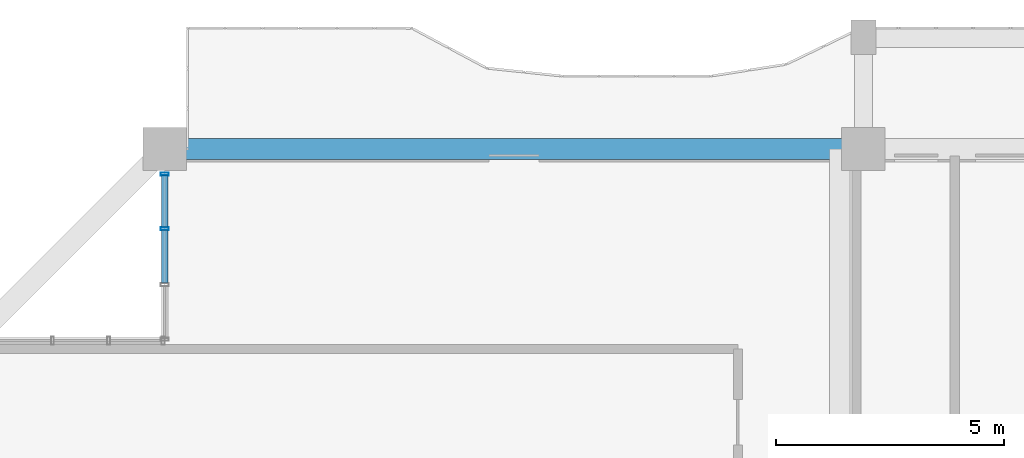
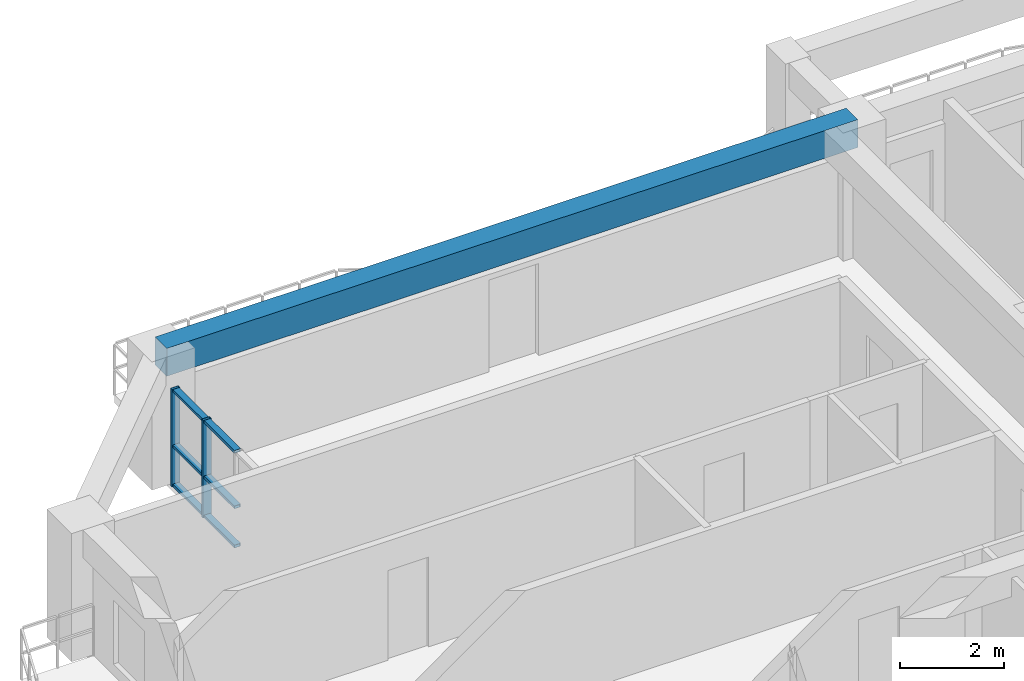
# One storey, part 8 of 26: 8 members, 1 beam, 1 element without a shape of its own.
"""IFC4 building model written with IfcOpenShell, lengths in metres."""

from ifc_helpers import new_model, si_unit, direction, frame, origin, origin_2d, place, context, subcontext, project, spatial, rectangle, hollow_rectangle, extrude, source, transform, mapped, material, layer, layer_set, material_profile, profile_set, type_object, element, aggregate, save


model = new_model("IFC4")

# Units and contexts
model_context = context("Model", 3, precision=1e-05, world=origin(), true_north=direction((0.0, 1.0)))
body_context = subcontext(model_context, "Body", "Model", "MODEL_VIEW")
ifc_project = project(units=[si_unit("LENGTHUNIT", "METRE"), si_unit("AREAUNIT", "SQUARE_METRE"), si_unit("VOLUMEUNIT", "CUBIC_METRE"), si_unit("PLANEANGLEUNIT", "RADIAN"), si_unit("MASSUNIT", "GRAM", prefix="KILO")], contexts=[model_context])

# Site, building, storey
site_placement = place(None, origin())
site = spatial("IfcSite", under=ifc_project, at=site_placement, CompositionType="ELEMENT")
building_placement = place(site_placement, origin())
building = spatial("IfcBuilding", under=site, at=building_placement, Name="Saelheon Loggia Tower", CompositionType="ELEMENT")
storey_placement = place(building_placement, frame((0.0, 0.0, 116.85009765625)))
storey = spatial("IfcBuildingStorey", under=building, at=storey_placement, Name="L37", CompositionType="ELEMENT", Elevation=116.85009765625)

# Beam
ifc_material_1 = material(Name="Concrete C40/50", Category="concrete")
ifc_material_profile_1 = material_profile(ifc_material_1, rectangle(XDim=0.449951171875, YDim=0.64990234375, at=origin_2d()), Name="RC-450x650")
ifc_profile_set_1 = profile_set([ifc_material_profile_1], Name="Concrete C40/50")
beam_type = type_object("IfcBeamType", Name="Beam_PerimTower_RC450x650", PredefinedType="BEAM", material=ifc_profile_set_1)
shared_shape_1 = source(origin(), body_context, "Body", "SweptSolid", [
    extrude(rectangle(XDim=0.449951171875, YDim=0.64990234375, at=origin_2d()), origin(), (0.0, 0.0, 1.0), 15.300048828125),
])
beam_placement = place(storey_placement, frame((31.5, 51.0, 2.6748046875), z_axis=(-1.0, 0.0, 0.0), x_axis=(0.0, -1.0, 0.0)))
element("IfcBeam", 1, at=beam_placement, inside=storey, type_object=beam_type, Name="L37 Perimeter Frame Girder 11", PredefinedType="BEAM", context=body_context, shape_type="MappedRepresentation", body=[
    mapped(shared_shape_1, transform((0.0, 0.0, 0.0), scale=1.0)),
])

# Curtain wall, members
ifc_material_2 = material(Name="Thermal-Break Aluminium and Triple Low-E Glass", Category="aluminium")
ifc_layer = layer(ifc_material_2, 0.159912109375)
ifc_layer_set = layer_set([ifc_layer], Name="Thermal-Break Aluminium and Triple Low-E Glass")
curtain_wall_type = type_object("IfcCurtainWallType", Name="CW_TowerLoggiaLow", PredefinedType="NOTDEFINED", material=ifc_layer_set)
curtain_wall_placement = place(storey_placement, origin())
curtain_wall = element("IfcCurtainWall", 2, at=curtain_wall_placement, inside=storey, type_object=curtain_wall_type, Name="L37 Corner Notch Glazing NW1", PredefinedType="NOTDEFINED")
ifc_material_3 = material(Name="Anodised Aluminium 6063-T6", Category="aluminium")
ifc_material_profile_2 = material_profile(ifc_material_3, hollow_rectangle(XDim=0.06494140625, YDim=0.179931640625, WallThickness=0.00390625, at=origin_2d()), Name="RHS-180x65x4")
ifc_profile_set_2 = profile_set([ifc_material_profile_2], Name="Anodised Aluminium 6063-T6")
member_type_1 = type_object("IfcMemberType", Name="CW_TowerLoggiaLow_Mullion", PredefinedType="MULLION", material=ifc_profile_set_2)
shared_shape_2 = source(origin(), body_context, "Body", "SweptSolid", [
    extrude(hollow_rectangle(XDim=0.06494140625, YDim=0.179931640625, WallThickness=0.00390625, at=origin_2d()), origin(), (0.0, 0.0, 1.0), 2.27978515625),
])
member_1_placement = place(storey_placement, frame((16.199951171875, 49.256591796875, 0.0), z_axis=(0.0, 0.0, 1.0), x_axis=(0.0, 1.0, 0.0)))
member_1 = element("IfcMember", 3, at=member_1_placement, type_object=member_type_1, Name="CW3 mullion 3", PredefinedType="MULLION", context=body_context, shape_type="MappedRepresentation", body=[
    mapped(shared_shape_2, transform((0.0, 0.0, 0.0), scale=1.0)),
])
member_2_placement = place(storey_placement, frame((16.199951171875, 50.452392578125, 0.0), z_axis=(0.0, 0.0, 1.0), x_axis=(0.0, 1.0, 0.0)))
member_2 = element("IfcMember", 4, at=member_2_placement, type_object=member_type_1, Name="CW3 mullion 4", PredefinedType="MULLION", context=body_context, shape_type="MappedRepresentation", body=[
    mapped(shared_shape_2, transform((0.0, 0.0, 0.0), scale=1.0)),
])
ifc_material_profile_3 = material_profile(ifc_material_3, hollow_rectangle(XDim=0.06494140625, YDim=0.139892578125, WallThickness=0.00390625, at=origin_2d()), Name="RHS-140x65x4")
ifc_profile_set_3 = profile_set([ifc_material_profile_3], Name="Anodised Aluminium 6063-T6")
member_type_2 = type_object("IfcMemberType", Name="CW_TowerLoggiaLow_Transom", PredefinedType="USERDEFINED", material=ifc_profile_set_3)
shared_shape_3 = source(origin(), body_context, "Body", "SweptSolid", [
    extrude(hollow_rectangle(XDim=0.06494140625, YDim=0.139892578125, WallThickness=0.00390625, at=origin_2d()), origin(), (0.0, 0.0, 1.0), 1.130859375),
])
member_3_placement = place(storey_placement, frame((16.199951171875, 49.2890625, 0.032470703125), z_axis=(0.0, 1.0, 0.0), x_axis=(0.0, 0.0, 1.0)))
member_3 = element("IfcMember", 5, at=member_3_placement, type_object=member_type_2, Name="CW3 transom 3.1", ObjectType="TRANSOM", PredefinedType="USERDEFINED", context=body_context, shape_type="MappedRepresentation", body=[
    mapped(shared_shape_3, transform((0.0, 0.0, 0.0), scale=1.0)),
])
member_4_placement = place(storey_placement, frame((16.199951171875, 49.2890625, 0.949951171875), z_axis=(0.0, 1.0, 0.0), x_axis=(0.0, 0.0, 1.0)))
member_4 = element("IfcMember", 6, at=member_4_placement, type_object=member_type_2, Name="CW3 transom 3.2", ObjectType="TRANSOM", PredefinedType="USERDEFINED", context=body_context, shape_type="MappedRepresentation", body=[
    mapped(shared_shape_3, transform((0.0, 0.0, 0.0), scale=1.0)),
])
member_5_placement = place(storey_placement, frame((16.199951171875, 49.2890625, 2.247314453125), z_axis=(0.0, 1.0, 0.0), x_axis=(0.0, 0.0, 1.0)))
member_5 = element("IfcMember", 7, at=member_5_placement, type_object=member_type_2, Name="CW3 transom 3.3", ObjectType="TRANSOM", PredefinedType="USERDEFINED", context=body_context, shape_type="MappedRepresentation", body=[
    mapped(shared_shape_3, transform((0.0, 0.0, 0.0), scale=1.0)),
])
shared_shape_4 = source(origin(), body_context, "Body", "SweptSolid", [
    extrude(hollow_rectangle(XDim=0.06494140625, YDim=0.139892578125, WallThickness=0.00390625, at=origin_2d()), origin(), (0.0, 0.0, 1.0), 1.163330078125),
])
member_6_placement = place(storey_placement, frame((16.199951171875, 48.060791015625, 0.032470703125), z_axis=(0.0, 1.0, 0.0), x_axis=(0.0, 0.0, 1.0)))
member_6 = element("IfcMember", 8, at=member_6_placement, type_object=member_type_2, Name="CW3 transom 2.1", ObjectType="TRANSOM", PredefinedType="USERDEFINED", context=body_context, shape_type="MappedRepresentation", body=[
    mapped(shared_shape_4, transform((0.0, 0.0, 0.0), scale=1.0)),
])
member_7_placement = place(storey_placement, frame((16.199951171875, 48.060791015625, 0.949951171875), z_axis=(0.0, 1.0, 0.0), x_axis=(0.0, 0.0, 1.0)))
member_7 = element("IfcMember", 9, at=member_7_placement, type_object=member_type_2, Name="CW3 transom 2.2", ObjectType="TRANSOM", PredefinedType="USERDEFINED", context=body_context, shape_type="MappedRepresentation", body=[
    mapped(shared_shape_4, transform((0.0, 0.0, 0.0), scale=1.0)),
])
member_8_placement = place(storey_placement, frame((16.199951171875, 48.060791015625, 2.247314453125), z_axis=(0.0, 1.0, 0.0), x_axis=(0.0, 0.0, 1.0)))
member_8 = element("IfcMember", 10, at=member_8_placement, type_object=member_type_2, Name="CW3 transom 2.3", ObjectType="TRANSOM", PredefinedType="USERDEFINED", context=body_context, shape_type="MappedRepresentation", body=[
    mapped(shared_shape_4, transform((0.0, 0.0, 0.0), scale=1.0)),
])
aggregate(curtain_wall, [member_1, member_2, member_6, member_7, member_8, member_3, member_4, member_5])

save(model, "model.ifc")
